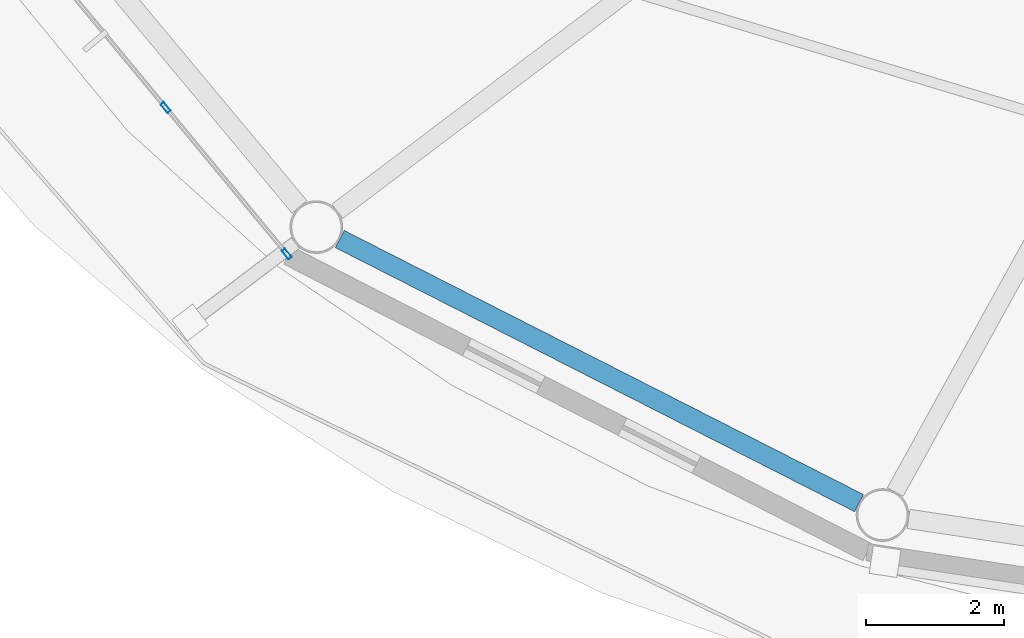
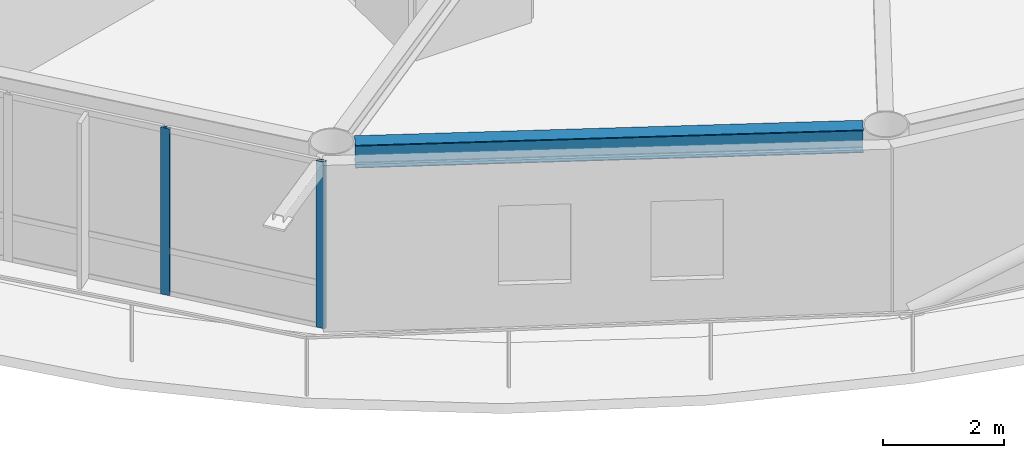
# One storey, part 2 of 23: 2 members, 1 beam, 1 element without a shape of its own.
"""IFC4 building model written with IfcOpenShell, lengths in metres."""

from ifc_helpers import new_model, si_unit, direction, frame, origin, origin_2d, place, context, subcontext, project, spatial, hollow_rectangle, i_section, extrude, material, layer, layer_set, material_profile, profile_set, type_object, element, aggregate, save


model = new_model("IFC4")

# Units and contexts
model_context = context("Model", 3, precision=1e-05, world=origin(), true_north=direction((0.0, 1.0)))
body_context = subcontext(model_context, "Body", "Model", "MODEL_VIEW")
ifc_project = project(units=[si_unit("LENGTHUNIT", "METRE"), si_unit("AREAUNIT", "SQUARE_METRE"), si_unit("VOLUMEUNIT", "CUBIC_METRE"), si_unit("PLANEANGLEUNIT", "RADIAN"), si_unit("MASSUNIT", "GRAM", prefix="KILO")], contexts=[model_context])

# Site, building, storey
site_placement = place(None, origin())
site = spatial("IfcSite", under=ifc_project, at=site_placement, CompositionType="ELEMENT")
building_placement = place(site_placement, origin())
building = spatial("IfcBuilding", under=site, at=building_placement, Name="Sarneth Arch Tower", CompositionType="ELEMENT")
storey_placement = place(building_placement, frame((0.0, 0.0, 265.800048828125)))
storey = spatial("IfcBuildingStorey", under=building, at=storey_placement, Name="L68", CompositionType="ELEMENT", Elevation=265.800048828125)

# Beam
ifc_material_1 = material(Name="Steel S355", Category="steel")
ifc_material_profile_1 = material_profile(ifc_material_1, i_section(OverallWidth=0.280029296875, OverallDepth=0.462890625, WebThickness=0.0107421875, FlangeThickness=0.017333984375, FilletRadius=0.01806640625, at=origin_2d()), Name="W460x113")
ifc_profile_set_1 = profile_set([ifc_material_profile_1], Name="Steel S355")
beam_type = type_object("IfcBeamType", Name="BM-RAD-460A", PredefinedType="BEAM", material=ifc_profile_set_1)
beam_placement = place(storey_placement, frame((30.364501953125, 28.250732421875, 3.138427734375), z_axis=(0.891373613492, -0.453269325204, 0.0), x_axis=(0.453269325204, 0.891373613492, 0.0)))
element("IfcBeam", 1, at=beam_placement, inside=storey, type_object=beam_type, Name="L68 Perimeter spandrel beam 11", PredefinedType="BEAM", context=body_context, shape_type="SweptSolid", body=[
    extrude(i_section(OverallWidth=0.280029296875, OverallDepth=0.462890625, WebThickness=0.0107421875, FlangeThickness=0.017333984375, FilletRadius=0.01806640625, at=origin_2d()), origin(), (0.0, 0.0, 1.0), 8.419677734375),
])

# Curtain wall, members
ifc_material_2 = material(Name="Anodised aluminium Type AA25 and solar-control low-e laminated IGU", Category="aluminium")
ifc_layer = layer(ifc_material_2, 0.179931640625)
ifc_layer_set = layer_set([ifc_layer], Name="Anodised aluminium Type AA25 and solar-control low-e laminated IGU")
curtain_wall_type = type_object("IfcCurtainWallType", Name="CW-RES-HIGH", PredefinedType="NOTDEFINED", material=ifc_layer_set)
curtain_wall_placement = place(storey_placement, origin())
curtain_wall = element("IfcCurtainWall", 2, at=curtain_wall_placement, inside=storey, type_object=curtain_wall_type, Name="L68 Unitised curtain wall facet 10", PredefinedType="NOTDEFINED")
ifc_material_3 = material(Name="Anodised Aluminium 6063-T6", Category="aluminium")
ifc_material_profile_2 = material_profile(ifc_material_3, hollow_rectangle(XDim=0.06005859375, YDim=0.159912109375, WallThickness=0.00390625, at=origin_2d()), Name="AL-MULL-160x60x4")
ifc_profile_set_2 = profile_set([ifc_material_profile_2], Name="Anodised Aluminium 6063-T6")
member_type = type_object("IfcMemberType", Name="CW-MULLION", PredefinedType="MULLION", material=ifc_profile_set_2)
member_1_placement = place(storey_placement, frame((27.84716796875, 30.15234375, 0.0), z_axis=(0.0, 0.0, 1.0), x_axis=(0.770359245933, 0.637610094184, 0.0)))
member_1 = element("IfcMember", 3, at=member_1_placement, type_object=member_type, Name="CW-SYS-6 mullion 3", PredefinedType="MULLION", context=body_context, shape_type="SweptSolid", body=[
    extrude(hollow_rectangle(XDim=0.06005859375, YDim=0.159912109375, WallThickness=0.00390625, at=origin_2d()), origin(), (0.0, 0.0, 1.0), 3.369873046875),
])
member_2_placement = place(storey_placement, frame((29.598388671875, 28.03662109375, 0.0), z_axis=(0.0, 0.0, 1.0), x_axis=(0.770359245933, 0.637610094184, 0.0)))
member_2 = element("IfcMember", 4, at=member_2_placement, type_object=member_type, Name="CW-SYS-6 mullion 4", PredefinedType="MULLION", context=body_context, shape_type="SweptSolid", body=[
    extrude(hollow_rectangle(XDim=0.06005859375, YDim=0.159912109375, WallThickness=0.00390625, at=origin_2d()), origin(), (0.0, 0.0, 1.0), 3.369873046875),
])
aggregate(curtain_wall, [member_1, member_2])

save(model, "model.ifc")
